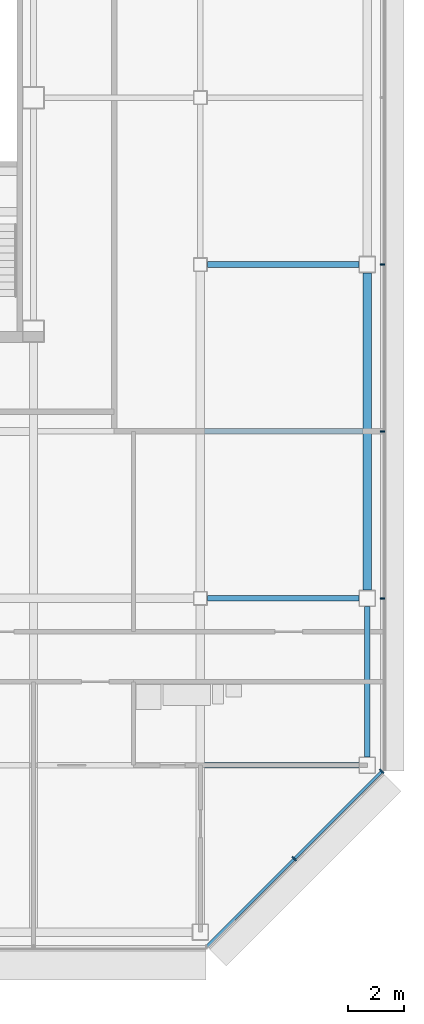
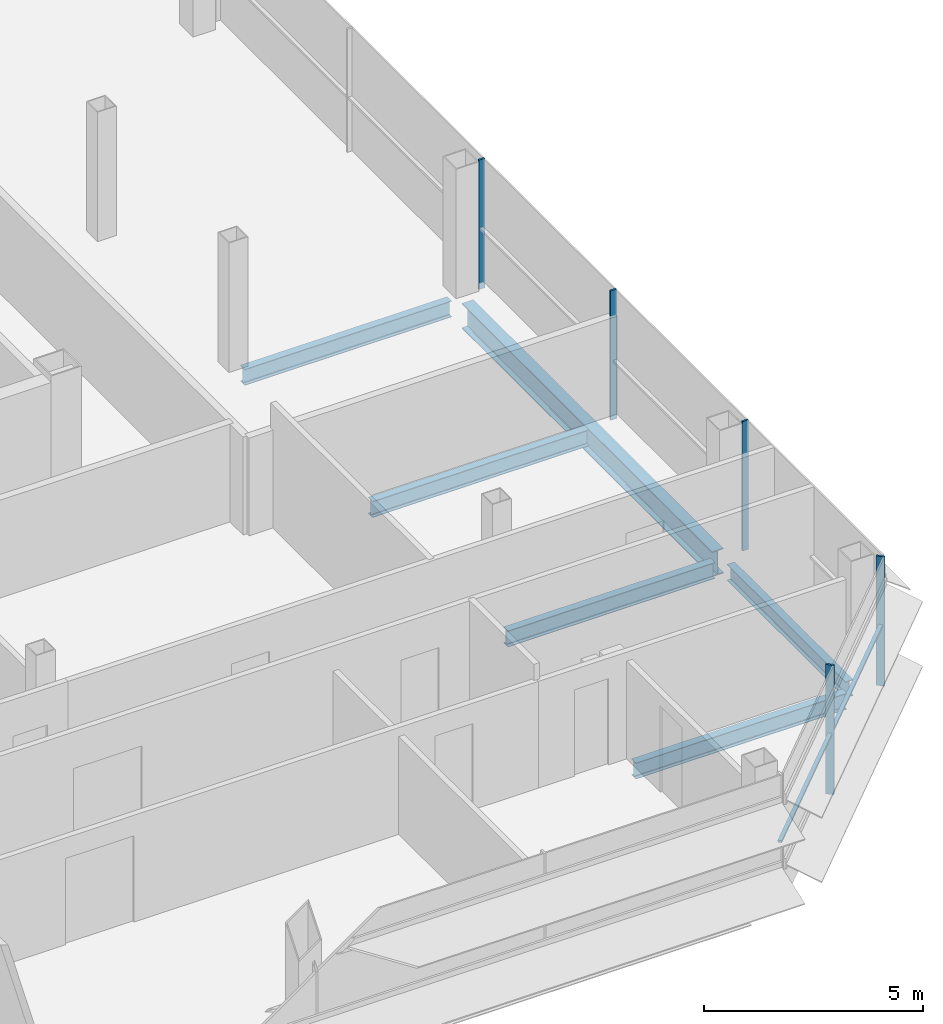
# One storey, part 17 of 28: 6 beams, 6 members, 2 elements without a shape of their own.
"""IFC4 building model written with IfcOpenShell, lengths in metres."""

from ifc_helpers import new_model, si_unit, direction, frame, origin, origin_2d, place, context, subcontext, project, spatial, rectangle, i_section, extrude, material, material_profile, profile_set, type_object, element, aggregate, save


model = new_model("IFC4")

# Units and contexts
model_context = context("Model", 3, precision=1e-05, world=origin(), true_north=direction((0.0, 1.0)))
body_context = subcontext(model_context, "Body", "Model", "MODEL_VIEW")
ifc_project = project(units=[si_unit("LENGTHUNIT", "METRE"), si_unit("AREAUNIT", "SQUARE_METRE"), si_unit("VOLUMEUNIT", "CUBIC_METRE"), si_unit("PLANEANGLEUNIT", "RADIAN"), si_unit("MASSUNIT", "GRAM", prefix="KILO")], contexts=[model_context])

# Site, building, storey
site_placement = place(None, origin())
site = spatial("IfcSite", under=ifc_project, at=site_placement, CompositionType="ELEMENT")
building_placement = place(site_placement, origin())
building = spatial("IfcBuilding", under=site, at=building_placement, Name="Sorahane Residences", CompositionType="ELEMENT")
storey_placement = place(building_placement, frame((0.0, 0.0, 270.199951171875)))
storey = spatial("IfcBuildingStorey", under=building, at=storey_placement, Name="L64", CompositionType="ELEMENT", Elevation=270.199951171875)

# Curtain wall, members
ifc_material_1 = material(Name="Dark low-e glass and black anodised aluminium", Category="aluminium")
curtain_wall_type_1 = type_object("IfcCurtainWallType", Name="Curtain wall CW-1 Typical unitised wall", PredefinedType="NOTDEFINED", material=ifc_material_1)
curtain_wall_1_placement = place(storey_placement, origin())
curtain_wall_1 = element("IfcCurtainWall", 1, at=curtain_wall_1_placement, inside=storey, type_object=curtain_wall_type_1, Name="CW-1 curtain wall L64 E1", PredefinedType="NOTDEFINED")
ifc_material_2 = material(Name="Black anodised aluminium", Category="aluminium")
ifc_material_profile_1 = material_profile(ifc_material_2, rectangle(XDim=0.159912109375, YDim=0.050048828125, at=origin_2d()), Name="Curtain wall mullion CW-1 black anodised aluminium 50x160")
ifc_profile_set_1 = profile_set([ifc_material_profile_1], Name="Black anodised aluminium")
member_type_1 = type_object("IfcMemberType", Name="Curtain wall mullion CW-1 black anodised aluminium 50x160", PredefinedType="MULLION", material=ifc_profile_set_1)
member_1_placement = place(storey_placement, frame((54.5400390625, 12.0, -0.179931640625), z_axis=(0.0, 0.0, 1.0), x_axis=(1.0, 0.0, 0.0)))
member_1 = element("IfcMember", 2, at=member_1_placement, type_object=member_type_1, Name="CW-1 mullion L64 E1.2", PredefinedType="MULLION", context=body_context, shape_type="SweptSolid", body=[
    extrude(rectangle(XDim=0.159912109375, YDim=0.050048828125, at=origin_2d()), origin(), (0.0, 0.0, 1.0), 3.60009765625),
])
member_2_placement = place(storey_placement, frame((54.5400390625, 18.0, -0.179931640625), z_axis=(0.0, 0.0, 1.0), x_axis=(1.0, 0.0, 0.0)))
member_2 = element("IfcMember", 3, at=member_2_placement, type_object=member_type_1, Name="CW-1 mullion L64 E1.3", PredefinedType="MULLION", context=body_context, shape_type="SweptSolid", body=[
    extrude(rectangle(XDim=0.159912109375, YDim=0.050048828125, at=origin_2d()), origin(), (0.0, 0.0, 1.0), 3.60009765625),
])
member_3_placement = place(storey_placement, frame((54.5400390625, 24.0, -0.179931640625), z_axis=(0.0, 0.0, 1.0), x_axis=(1.0, 0.0, 0.0)))
member_3 = element("IfcMember", 4, at=member_3_placement, type_object=member_type_1, Name="CW-1 mullion L64 E1.4", PredefinedType="MULLION", context=body_context, shape_type="SweptSolid", body=[
    extrude(rectangle(XDim=0.159912109375, YDim=0.050048828125, at=origin_2d()), origin(), (0.0, 0.0, 1.0), 3.60009765625),
])
aggregate(curtain_wall_1, [member_1, member_2, member_3])

ifc_material_3 = material(Name="Dark low-e glass and black anodised aluminium", Category="aluminium")
curtain_wall_type_2 = type_object("IfcCurtainWallType", Name="Curtain wall CW-2 Chamfer unitised wall", PredefinedType="NOTDEFINED", material=ifc_material_3)
curtain_wall_2_placement = place(storey_placement, origin())
curtain_wall_2 = element("IfcCurtainWall", 5, at=curtain_wall_2_placement, inside=storey, type_object=curtain_wall_type_2, Name="CW-2 curtain wall L64 SE1", PredefinedType="NOTDEFINED")
ifc_material_4 = material(Name="Black anodised aluminium", Category="aluminium")
ifc_material_profile_2 = material_profile(ifc_material_4, rectangle(XDim=0.199951171875, YDim=0.050048828125, at=origin_2d()), Name="Curtain wall mullion CW-2 black anodised aluminium 50x200")
ifc_profile_set_2 = profile_set([ifc_material_profile_2], Name="Black anodised aluminium")
member_type_2 = type_object("IfcMemberType", Name="Curtain wall mullion CW-2 black anodised aluminium 50x200", PredefinedType="MULLION", material=ifc_profile_set_2)
member_4_placement = place(storey_placement, frame((51.36767578125, 2.63232421875, -0.179931640625), z_axis=(0.0, 0.0, 1.0), x_axis=(0.707106781187, -0.707106781187, 0.0)))
member_4 = element("IfcMember", 6, at=member_4_placement, type_object=member_type_2, Name="CW-2 mullion L64 SE1.2", PredefinedType="MULLION", context=body_context, shape_type="SweptSolid", body=[
    extrude(rectangle(XDim=0.199951171875, YDim=0.050048828125, at=origin_2d()), origin(), (0.0, 0.0, 1.0), 3.60009765625),
])
member_5_placement = place(storey_placement, frame((54.525634765625, 5.790283203125, -0.179931640625), z_axis=(0.0, 0.0, 1.0), x_axis=(0.707106781187, -0.707106781187, 0.0)))
member_5 = element("IfcMember", 7, at=member_5_placement, type_object=member_type_2, Name="CW-2 mullion L64 SE1.3", PredefinedType="MULLION", context=body_context, shape_type="SweptSolid", body=[
    extrude(rectangle(XDim=0.199951171875, YDim=0.050048828125, at=origin_2d()), origin(), (0.0, 0.0, 1.0), 3.60009765625),
])
ifc_material_5 = material(Name="Black anodised aluminium", Category="aluminium")
ifc_material_profile_3 = material_profile(ifc_material_5, rectangle(XDim=0.10009765625, YDim=0.06005859375, at=origin_2d()), Name="Curtain wall transom CW-2 black anodised aluminium 60x100")
ifc_profile_set_3 = profile_set([ifc_material_profile_3], Name="Black anodised aluminium")
member_type_3 = type_object("IfcMemberType", Name="Curtain wall transom CW-2 black anodised aluminium 60x100", PredefinedType="USERDEFINED", material=ifc_profile_set_3)
member_6_placement = place(storey_placement, frame((48.234375, -0.51513671875, 1.5), z_axis=(0.707106781187, 0.707106781187, 0.0), x_axis=(-0.707106781187, 0.707106781187, 0.0)))
member_6 = element("IfcMember", 8, at=member_6_placement, type_object=member_type_3, Name="CW-2 transom L64 SE1", ObjectType="TRANSOM", PredefinedType="USERDEFINED", context=body_context, shape_type="SweptSolid", body=[
    extrude(rectangle(XDim=0.10009765625, YDim=0.06005859375, at=origin_2d()), origin(), (0.0, 0.0, 1.0), 8.88232421875),
])
aggregate(curtain_wall_2, [member_4, member_5, member_6])

# Beams
ifc_material_6 = material(Name="Steel Q355B", Category="steel")
ifc_material_profile_4 = material_profile(ifc_material_6, i_section(OverallWidth=0.199951171875, OverallDepth=0.449951171875, WebThickness=0.009033203125, FlangeThickness=0.013916015625, FilletRadius=0.02001953125, at=origin_2d()), Name="HN 450x200x9x14")
ifc_profile_set_4 = profile_set([ifc_material_profile_4], Name="Steel Q355B")
beam_type_1 = type_object("IfcBeamType", Name="Steel floor beam HN 450x200x9x14 Q355B", PredefinedType="BEAM", material=ifc_profile_set_4)
for number, where, z_axis, x_axis, name in (
    (9, (48.25, 12.0, -0.405029296875), (1.0, 0.0, 0.0), (0.0, 1.0, 0.0), "Beam L64 010"),
    (10, (48.25, 24.0, -0.405029296875), (1.0, 0.0, 0.0), (0.0, 1.0, 0.0), "Beam L64 012"),
):
    element("IfcBeam", number, at=place(storey_placement, frame(where, z_axis=z_axis, x_axis=x_axis)), inside=storey, type_object=beam_type_1, Name=name, PredefinedType="BEAM", context=body_context, shape_type="SweptSolid", body=[
        extrude(i_section(OverallWidth=0.199951171875, OverallDepth=0.449951171875, WebThickness=0.009033203125, FlangeThickness=0.013916015625, FilletRadius=0.02001953125, at=origin_2d()), origin(), (0.0, 0.0, 1.0), 5.449951171875),
    ])
beam_1_placement = place(storey_placement, frame((54.0, 6.300048828125, -0.405029296875), z_axis=(0.0, 1.0, 0.0), x_axis=(-1.0, 0.0, 0.0)))
element("IfcBeam", 11, at=beam_1_placement, inside=storey, type_object=beam_type_1, Name="Beam L64 064", PredefinedType="BEAM", context=body_context, shape_type="SweptSolid", body=[
    extrude(i_section(OverallWidth=0.199951171875, OverallDepth=0.449951171875, WebThickness=0.009033203125, FlangeThickness=0.013916015625, FilletRadius=0.02001953125, at=origin_2d()), origin(), (0.0, 0.0, 1.0), 5.39990234375),
])
beam_2_placement = place(storey_placement, frame((48.14990234375, 6.0, -0.405029296875), z_axis=(1.0, 0.0, 0.0), x_axis=(0.0, 1.0, 0.0)))
element("IfcBeam", 12, at=beam_2_placement, inside=storey, type_object=beam_type_1, Name="Beam L64 077", PredefinedType="BEAM", context=body_context, shape_type="SweptSolid", body=[
    extrude(i_section(OverallWidth=0.199951171875, OverallDepth=0.449951171875, WebThickness=0.009033203125, FlangeThickness=0.013916015625, FilletRadius=0.02001953125, at=origin_2d()), origin(), (0.0, 0.0, 1.0), 5.550048828125),
])
beam_3_placement = place(storey_placement, frame((48.14990234375, 18.0, -0.405029296875), z_axis=(1.0, 0.0, 0.0), x_axis=(0.0, 1.0, 0.0)))
element("IfcBeam", 13, at=beam_3_placement, inside=storey, type_object=beam_type_1, Name="Beam L64 084", PredefinedType="BEAM", context=body_context, shape_type="SweptSolid", body=[
    extrude(i_section(OverallWidth=0.199951171875, OverallDepth=0.449951171875, WebThickness=0.009033203125, FlangeThickness=0.013916015625, FilletRadius=0.02001953125, at=origin_2d()), origin(), (0.0, 0.0, 1.0), 5.7001953125),
])
ifc_material_7 = material(Name="Steel Q355B", Category="steel")
ifc_material_profile_5 = material_profile(ifc_material_7, i_section(OverallWidth=0.300048828125, OverallDepth=0.699951171875, WebThickness=0.012939453125, FlangeThickness=0.02392578125, FilletRadius=0.028076171875, at=origin_2d()), Name="HN 700x300x13x24")
ifc_profile_set_5 = profile_set([ifc_material_profile_5], Name="Steel Q355B")
beam_type_2 = type_object("IfcBeamType", Name="Steel floor beam HN 700x300x13x24 Q355B", PredefinedType="BEAM", material=ifc_profile_set_5)
beam_4_placement = place(storey_placement, frame((54.0, 12.300048828125, -0.530029296875), z_axis=(0.0, 1.0, 0.0), x_axis=(-1.0, 0.0, 0.0)))
element("IfcBeam", 14, at=beam_4_placement, inside=storey, type_object=beam_type_2, Name="Beam L64 065", PredefinedType="BEAM", context=body_context, shape_type="SweptSolid", body=[
    extrude(i_section(OverallWidth=0.300048828125, OverallDepth=0.699951171875, WebThickness=0.012939453125, FlangeThickness=0.02392578125, FilletRadius=0.028076171875, at=origin_2d()), origin(), (0.0, 0.0, 1.0), 11.39990234375),
])

save(model, "model.ifc")
